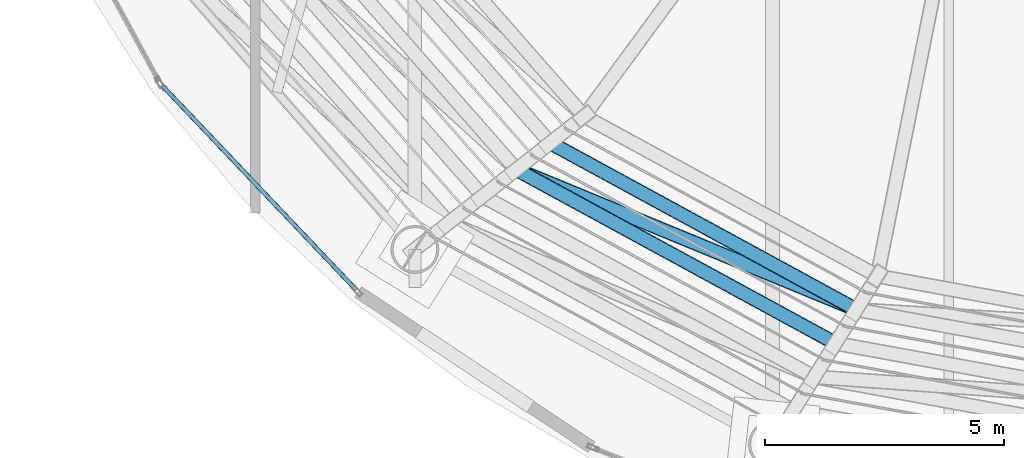
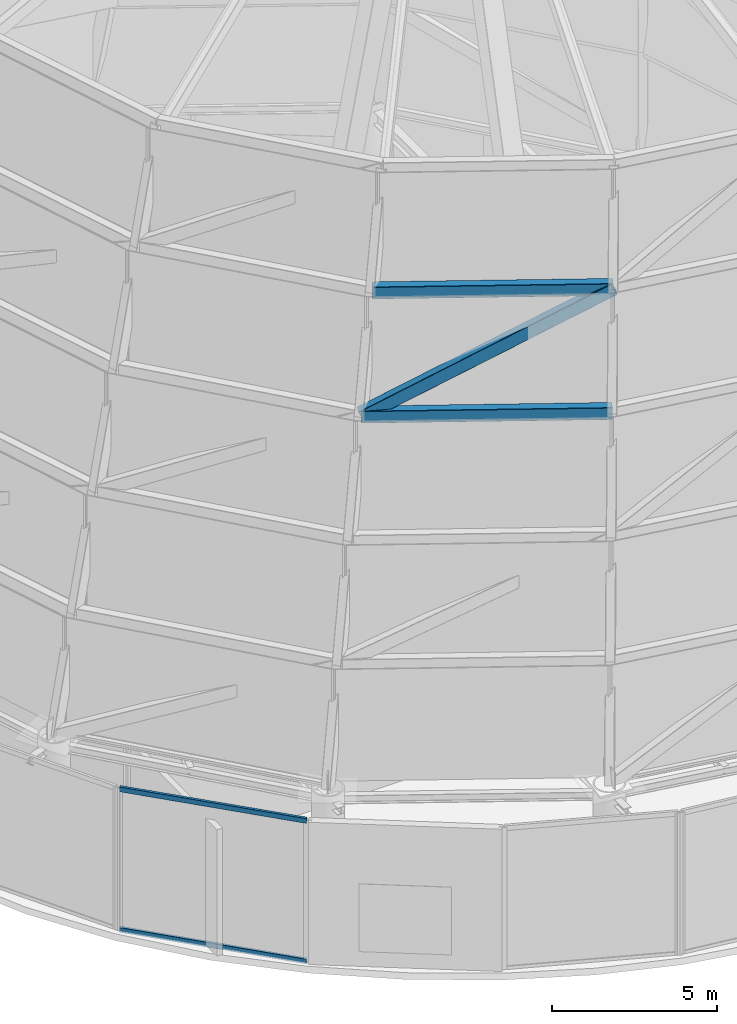
# One storey, part 4 of 40: 5 members, 1 element without a shape of its own.
"""IFC4 building model written with IfcOpenShell, lengths in metres."""

from ifc_helpers import new_model, si_unit, direction, frame, origin, origin_2d, place, context, subcontext, project, spatial, hollow_rectangle, extrude, material, layer, layer_set, material_profile, profile_set, type_object, element, aggregate, save


model = new_model("IFC4")

# Units and contexts
model_context = context("Model", 3, precision=1e-05, world=origin(), true_north=direction((0.0, 1.0)))
body_context = subcontext(model_context, "Body", "Model", "MODEL_VIEW")
ifc_project = project(units=[si_unit("LENGTHUNIT", "METRE"), si_unit("AREAUNIT", "SQUARE_METRE"), si_unit("VOLUMEUNIT", "CUBIC_METRE"), si_unit("PLANEANGLEUNIT", "RADIAN"), si_unit("MASSUNIT", "GRAM", prefix="KILO")], contexts=[model_context])

# Site, building, storey
site_placement = place(None, origin())
site = spatial("IfcSite", under=ifc_project, at=site_placement, CompositionType="ELEMENT")
building_placement = place(site_placement, origin())
building = spatial("IfcBuilding", under=site, at=building_placement, Name="Bramvorn Convention Spire", CompositionType="ELEMENT")
storey_placement = place(building_placement, frame((0.0, 0.0, 312.5)))
storey = spatial("IfcBuildingStorey", under=building, at=storey_placement, Name="L79", CompositionType="ELEMENT", Elevation=312.5)

# Curtain wall, members
ifc_material_1 = material(Name="Anodised Bronze Unitised Curtain Wall", Category="aluminium")
ifc_layer = layer(ifc_material_1, 0.199951171875)
ifc_layer_set = layer_set([ifc_layer], Name="Anodised Bronze Unitised Curtain Wall - CW-CROWN-SPIRE")
curtain_wall_type = type_object("IfcCurtainWallType", Name="CW-CROWN-SPIRE", PredefinedType="USERDEFINED", material=ifc_layer_set)
curtain_wall_placement = place(storey_placement, origin())
curtain_wall = element("IfcCurtainWall", 1, at=curtain_wall_placement, inside=storey, type_object=curtain_wall_type, Name="L79 fritted glass curtain wall 20", ObjectType="UNITISED CURTAIN WALL", PredefinedType="USERDEFINED")
ifc_material_2 = material(Name="Anodised Bronze Aluminium 6063-T6", Category="aluminium")
ifc_material_profile_1 = material_profile(ifc_material_2, hollow_rectangle(XDim=0.090087890625, YDim=0.179931640625, WallThickness=0.00439453125, InnerFilletRadius=0.0009765625, OuterFilletRadius=0.00439453125, at=origin_2d()))
ifc_profile_set_1 = profile_set([ifc_material_profile_1], Name="Anodised Bronze Aluminium 6063-T6 - CWT90X180")
member_type_1 = type_object("IfcMemberType", Name="CW-TRN-180", PredefinedType="USERDEFINED", material=ifc_profile_set_1)
member_1_placement = place(storey_placement, frame((27.110107421875, 9.676025390625, 0.030029296875), z_axis=(-0.688521945633, 0.725215506164, 0.0), x_axis=(-0.725215506164, -0.688521945633, 0.0)))
member_1 = element("IfcMember", 2, at=member_1_placement, type_object=member_type_1, Name="CW6 transom 1.1", ObjectType="TRANSOM", PredefinedType="USERDEFINED", context=body_context, shape_type="SweptSolid", body=[
    extrude(hollow_rectangle(XDim=0.090087890625, YDim=0.179931640625, WallThickness=0.00439453125, InnerFilletRadius=0.0009765625, OuterFilletRadius=0.00439453125, at=origin_2d()), origin(), (0.0, 0.0, 1.0), 5.89501953125),
])
member_2_placement = place(storey_placement, frame((27.110107421875, 9.676025390625, 5.219970703125), z_axis=(-0.688521945633, 0.725215506164, 0.0), x_axis=(-0.725215506164, -0.688521945633, 0.0)))
member_2 = element("IfcMember", 3, at=member_2_placement, type_object=member_type_1, Name="CW6 transom 1.2", ObjectType="TRANSOM", PredefinedType="USERDEFINED", context=body_context, shape_type="SweptSolid", body=[
    extrude(hollow_rectangle(XDim=0.090087890625, YDim=0.179931640625, WallThickness=0.00439453125, InnerFilletRadius=0.0009765625, OuterFilletRadius=0.00439453125, at=origin_2d()), origin(), (0.0, 0.0, 1.0), 5.89501953125),
])
aggregate(curtain_wall, [member_1, member_2])

# Members
ifc_material_3 = material(Name="Steel CSA G40.21 Grade 350 (350W)", Category="steel")
ifc_material_profile_2 = material_profile(ifc_material_3, hollow_rectangle(XDim=0.300048828125, YDim=0.449951171875, WallThickness=0.02001953125, InnerFilletRadius=0.00390625, OuterFilletRadius=0.02392578125, at=origin_2d()))
ifc_profile_set_2 = profile_set([ifc_material_profile_2], Name="Steel CSA G40.21 Grade 350 (350W) - CROWN450X300X20")
member_type_2 = type_object("IfcMemberType", Name="MBR-CROWN450X300X20", PredefinedType="USERDEFINED", material=ifc_profile_set_2)
member_3_placement = place(storey_placement, frame((30.461181640625, 12.194580078125, 17.5), z_axis=(0.878143580848, -0.478397169113, 0.0), x_axis=(0.478397169113, 0.878143580848, 0.0)))
element("IfcMember", 4, at=member_3_placement, inside=storey, type_object=member_type_2, Name="Crown spire CROWN FRAME ring beam T3-14", ObjectType="CROWN FRAME", PredefinedType="USERDEFINED", context=body_context, shape_type="SweptSolid", body=[
    extrude(hollow_rectangle(XDim=0.300048828125, YDim=0.449951171875, WallThickness=0.02001953125, InnerFilletRadius=0.00390625, OuterFilletRadius=0.02392578125, at=origin_2d()), origin(), (0.0, 0.0, 1.0), 7.595703125),
])
member_4_placement = place(storey_placement, frame((31.1689453125, 12.751953125, 21.5), z_axis=(0.878124582744, -0.478432040295, 0.0), x_axis=(0.478432040295, 0.878124582744, 0.0)))
element("IfcMember", 5, at=member_4_placement, inside=storey, type_object=member_type_2, Name="Crown spire CROWN FRAME ring beam T4-14", ObjectType="CROWN FRAME", PredefinedType="USERDEFINED", context=body_context, shape_type="SweptSolid", body=[
    extrude(hollow_rectangle(XDim=0.300048828125, YDim=0.449951171875, WallThickness=0.02001953125, InnerFilletRadius=0.00390625, OuterFilletRadius=0.02392578125, at=origin_2d()), origin(), (0.0, 0.0, 1.0), 7.28955078125),
])
member_5_placement = place(storey_placement, frame((30.461181640625, 12.194580078125, 17.5), z_axis=(0.820195615395, -0.338072250016, 0.461504394623), x_axis=(0.381081950616, 0.924541262959, 0.0)))
element("IfcMember", 6, at=member_5_placement, inside=storey, type_object=member_type_2, Name="Crown spire CROWN FRAME wind brace T4-14", ObjectType="CROWN FRAME", PredefinedType="USERDEFINED", context=body_context, shape_type="SweptSolid", body=[
    extrude(hollow_rectangle(XDim=0.300048828125, YDim=0.449951171875, WallThickness=0.02001953125, InnerFilletRadius=0.00390625, OuterFilletRadius=0.02392578125, at=origin_2d()), origin(), (0.0, 0.0, 1.0), 8.667236328125),
])

save(model, "model.ifc")
